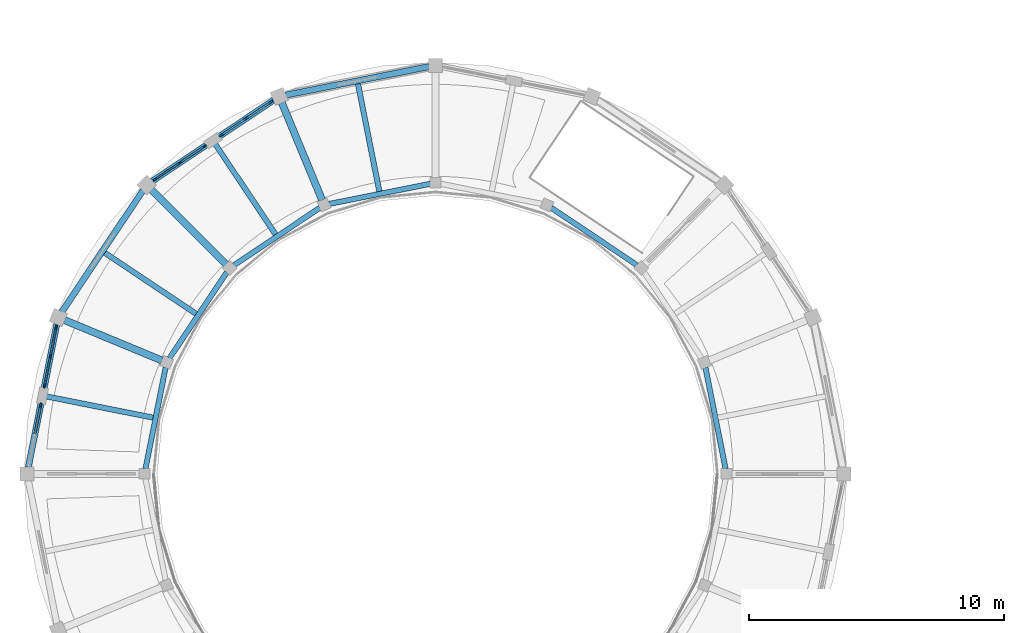
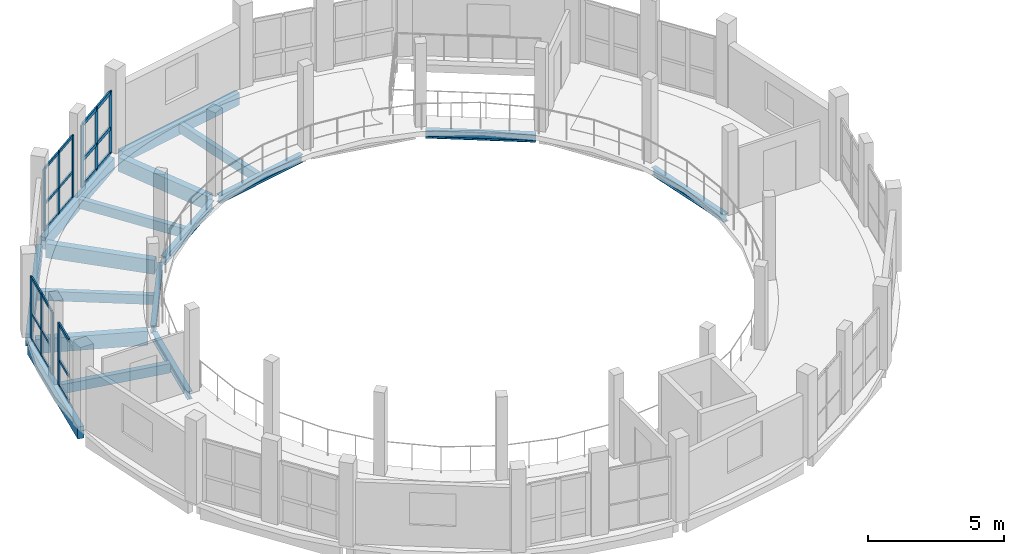
# One storey, part 35 of 77: 31 members, 17 beams, 4 elements without a shape of their own.
"""IFC4 building model written with IfcOpenShell, lengths in metres."""

from ifc_helpers import new_model, si_unit, direction, frame, origin, origin_2d, place, context, subcontext, project, spatial, rectangle, i_section, extrude, material, layer, layer_set, material_profile, profile_set, type_object, element, aggregate, save


model = new_model("IFC4")

# Units and contexts
model_context = context("Model", 3, precision=1e-05, world=origin(), true_north=direction((0.0, 1.0)))
body_context = subcontext(model_context, "Body", "Model", "MODEL_VIEW")
ifc_project = project(units=[si_unit("LENGTHUNIT", "METRE"), si_unit("AREAUNIT", "SQUARE_METRE"), si_unit("VOLUMEUNIT", "CUBIC_METRE"), si_unit("PLANEANGLEUNIT", "RADIAN"), si_unit("MASSUNIT", "GRAM", prefix="KILO")], contexts=[model_context])

# Site, building, storey
site_placement = place(None, origin())
site = spatial("IfcSite", under=ifc_project, at=site_placement, CompositionType="ELEMENT")
building_placement = place(site_placement, origin())
building = spatial("IfcBuilding", under=site, at=building_placement, Name="Caldaven Crescent School", CompositionType="ELEMENT")
storey_placement = place(building_placement, frame((0.0, 0.0, 4.419921875)))
storey = spatial("IfcBuildingStorey", under=building, at=storey_placement, Name="L01", CompositionType="ELEMENT", Elevation=4.419921875)

# Beams
ifc_material_1 = material(Name="Glulam MLE24h (GL28h)", Category="wood")
ifc_material_profile_1 = material_profile(ifc_material_1, rectangle(XDim=0.280029296875, YDim=0.6298828125, at=origin_2d()), Name="MLE 280x630")
ifc_profile_set_1 = profile_set([ifc_material_profile_1], Name="Glulam MLE24h (GL28h)")
beam_type_1 = type_object("IfcBeamType", Name="BM-GL63", PredefinedType="BEAM", material=ifc_profile_set_1)
beam_1_placement = place(storey_placement, frame((19.060791015625, 109.217041015625, -0.534912109375), z_axis=(-0.382679925467, 0.923880985108, 0.0), x_axis=(-0.923880985108, -0.382679925467, 0.0)))
element("IfcBeam", 1, at=beam_1_placement, inside=storey, type_object=beam_type_1, Name="BM-V2-L01-0306", PredefinedType="BEAM", context=body_context, shape_type="SweptSolid", body=[
    extrude(rectangle(XDim=0.280029296875, YDim=0.6298828125, at=origin_2d()), origin(), (0.0, 0.0, 1.0), 4.139892578125),
])
beam_2_placement = place(storey_placement, frame((15.297607421875, 106.702392578125, -0.534912109375), z_axis=(-0.707106781187, 0.707106781187, 0.0), x_axis=(-0.707106781187, -0.707106781187, 0.0)))
element("IfcBeam", 2, at=beam_2_placement, inside=storey, type_object=beam_type_1, Name="BM-V2-L01-0310", PredefinedType="BEAM", context=body_context, shape_type="SweptSolid", body=[
    extrude(rectangle(XDim=0.280029296875, YDim=0.6298828125, at=origin_2d()), origin(), (0.0, 0.0, 1.0), 4.14013671875),
])
beam_3_placement = place(storey_placement, frame((12.782958984375, 102.939208984375, -0.534912109375), z_axis=(-0.923880985108, 0.382679925467, 0.0), x_axis=(-0.382679925467, -0.923880985108, 0.0)))
element("IfcBeam", 3, at=beam_3_placement, inside=storey, type_object=beam_type_1, Name="BM-V2-L01-0314", PredefinedType="BEAM", context=body_context, shape_type="SweptSolid", body=[
    extrude(rectangle(XDim=0.280029296875, YDim=0.6298828125, at=origin_2d()), origin(), (0.0, 0.0, 1.0), 4.139892578125),
])
ifc_material_2 = material(Name="Steel ASTM A572 Grade 50", Category="steel")
ifc_material_profile_2 = material_profile(ifc_material_2, i_section(OverallWidth=0.205078125, OverallDepth=0.35400390625, WebThickness=0.009521484375, FlangeThickness=0.016845703125, FilletRadius=0.014892578125, at=origin_2d()), Name="W360x79")
ifc_profile_set_2 = profile_set([ifc_material_profile_2], Name="Steel ASTM A572 Grade 50")
beam_type_2 = type_object("IfcBeamType", Name="BM-W36", PredefinedType="BEAM", material=ifc_profile_set_2)
beam_4_placement = place(storey_placement, frame((34.861083984375, 98.696044921875, -0.39697265625), z_axis=(-0.195095436925, 0.980784262971, 0.0), x_axis=(-0.980784262971, -0.195095436925, 0.0)))
element("IfcBeam", 4, at=beam_4_placement, inside=storey, type_object=beam_type_2, Name="BM-V2-L01-0289", PredefinedType="BEAM", context=body_context, shape_type="SweptSolid", body=[
    extrude(i_section(OverallWidth=0.205078125, OverallDepth=0.35400390625, WebThickness=0.009521484375, FlangeThickness=0.016845703125, FilletRadius=0.014892578125, at=origin_2d()), origin(), (0.0, 0.0, 1.0), 4.04833984375),
])
beam_5_placement = place(storey_placement, frame((31.394775390625, 106.672119140625, -0.39697265625), z_axis=(-0.831474595704, 0.55556277476, 0.0), x_axis=(-0.55556277476, -0.831474595704, 0.0)))
element("IfcBeam", 5, at=beam_5_placement, inside=storey, type_object=beam_type_2, Name="BM-V2-L01-0297", PredefinedType="BEAM", context=body_context, shape_type="SweptSolid", body=[
    extrude(i_section(OverallWidth=0.205078125, OverallDepth=0.35400390625, WebThickness=0.009521484375, FlangeThickness=0.016845703125, FilletRadius=0.014892578125, at=origin_2d()), origin(), (0.0, 0.0, 1.0), 4.048095703125),
])
beam_6_placement = place(storey_placement, frame((23.303955078125, 109.861083984375, -0.39697265625), z_axis=(-0.980784262971, -0.195095436925, 0.0), x_axis=(0.195095436925, -0.980784262971, 0.0)))
element("IfcBeam", 6, at=beam_6_placement, inside=storey, type_object=beam_type_2, Name="BM-V2-L01-0303", PredefinedType="BEAM", context=body_context, shape_type="SweptSolid", body=[
    extrude(i_section(OverallWidth=0.205078125, OverallDepth=0.35400390625, WebThickness=0.009521484375, FlangeThickness=0.016845703125, FilletRadius=0.014892578125, at=origin_2d()), origin(), (0.0, 0.0, 1.0), 4.04833984375),
])
for number, where, z_axis, x_axis, name in (
    (7, (18.97119140625, 108.921142578125, -0.39697265625), (-0.831474595704, -0.55556277476, 0.0), (0.55556277476, -0.831474595704, 0.0), "BM-V2-L01-0307"),
    (8, (15.327880859375, 106.394775390625, -0.39697265625), (-0.55556277476, -0.831474595704, 0.0), (0.831474595704, -0.55556277476, 0.0), "BM-V2-L01-0311"),
):
    element("IfcBeam", number, at=place(storey_placement, frame(where, z_axis=z_axis, x_axis=x_axis)), inside=storey, type_object=beam_type_2, Name=name, PredefinedType="BEAM", context=body_context, shape_type="SweptSolid", body=[
        extrude(i_section(OverallWidth=0.205078125, OverallDepth=0.35400390625, WebThickness=0.009521484375, FlangeThickness=0.016845703125, FilletRadius=0.014892578125, at=origin_2d()), origin(), (0.0, 0.0, 1.0), 4.048095703125),
    ])
beam_7_placement = place(storey_placement, frame((12.9287109375, 102.66650390625, -0.39697265625), z_axis=(-0.195095436925, -0.980784262971, 0.0), x_axis=(0.980784262971, -0.195095436925, 0.0)))
element("IfcBeam", 9, at=beam_7_placement, inside=storey, type_object=beam_type_2, Name="BM-V2-L01-0315", PredefinedType="BEAM", context=body_context, shape_type="SweptSolid", body=[
    extrude(i_section(OverallWidth=0.205078125, OverallDepth=0.35400390625, WebThickness=0.009521484375, FlangeThickness=0.016845703125, FilletRadius=0.014892578125, at=origin_2d()), origin(), (0.0, 0.0, 1.0), 4.04833984375),
])

# Curtain wall, members
ifc_material_3 = material(Name="Anodised aluminium AA 6063-T6 and low-E double glazing", Category="aluminium")
ifc_layer_1 = layer(ifc_material_3, 0.2099609375)
ifc_layer_set_1 = layer_set([ifc_layer_1], Name="Anodised aluminium AA 6063-T6 and low-E double glazing")
curtain_wall_type_1 = type_object("IfcCurtainWallType", Name="CW-SYS3", PredefinedType="NOTDEFINED", material=ifc_layer_set_1)
curtain_wall_1_placement = place(storey_placement, origin())
curtain_wall_1 = element("IfcCurtainWall", 10, at=curtain_wall_1_placement, inside=storey, type_object=curtain_wall_type_1, Name="CW-L01-062", PredefinedType="NOTDEFINED")
ifc_material_4 = material(Name="Anodised aluminium AA 6063-T6", Category="aluminium")
ifc_material_profile_3 = material_profile(ifc_material_4, rectangle(XDim=0.06005859375, YDim=0.14990234375, at=origin_2d()), Name="CWM 60x150")
ifc_profile_set_3 = profile_set([ifc_material_profile_3], Name="Anodised aluminium AA 6063-T6")
member_type_1 = type_object("IfcMemberType", Name="CWM-T1", PredefinedType="MULLION", material=ifc_profile_set_3)
member_1_placement = place(storey_placement, frame((14.45751953125, 111.331298828125, 0.0), z_axis=(0.0, 0.0, 1.0), x_axis=(0.555572440609, -0.831468137234, 0.0)))
member_1 = element("IfcMember", 11, at=member_1_placement, type_object=member_type_1, Name="CW3 mullion 1", PredefinedType="MULLION", context=body_context, shape_type="SweptSolid", body=[
    extrude(rectangle(XDim=0.06005859375, YDim=0.14990234375, at=origin_2d()), origin(), (0.0, 0.0, 1.0), 2.780029296875),
])
member_2_placement = place(storey_placement, frame((13.48388671875, 110.680908203125, 0.0), z_axis=(0.0, 0.0, 1.0), x_axis=(0.555572440609, -0.831468137234, 0.0)))
member_2 = element("IfcMember", 12, at=member_2_placement, type_object=member_type_1, Name="CW3 mullion 2", PredefinedType="MULLION", context=body_context, shape_type="SweptSolid", body=[
    extrude(rectangle(XDim=0.06005859375, YDim=0.14990234375, at=origin_2d()), origin(), (0.0, 0.0, 1.0), 2.780029296875),
])
member_3_placement = place(storey_placement, frame((12.510498046875, 110.0302734375, 0.0), z_axis=(0.0, 0.0, 1.0), x_axis=(0.555572440609, -0.831468137234, 0.0)))
member_3 = element("IfcMember", 13, at=member_3_placement, type_object=member_type_1, Name="CW3 mullion 3", PredefinedType="MULLION", context=body_context, shape_type="SweptSolid", body=[
    extrude(rectangle(XDim=0.06005859375, YDim=0.14990234375, at=origin_2d()), origin(), (0.0, 0.0, 1.0), 2.780029296875),
])

ifc_layer_2 = layer(ifc_material_3, 0.22998046875)
ifc_layer_set_2 = layer_set([ifc_layer_2], Name="Anodised aluminium AA 6063-T6 and low-E double glazing")
curtain_wall_type_2 = type_object("IfcCurtainWallType", Name="CW-SYS4", PredefinedType="NOTDEFINED", material=ifc_layer_set_2)
curtain_wall_2_placement = place(storey_placement, origin())
curtain_wall_2 = element("IfcCurtainWall", 14, at=curtain_wall_2_placement, inside=storey, type_object=curtain_wall_type_2, Name="CW-L01-063", PredefinedType="NOTDEFINED")
ifc_material_profile_4 = material_profile(ifc_material_4, rectangle(XDim=0.06494140625, YDim=0.179931640625, at=origin_2d()), Name="CWM 65x180")
ifc_profile_set_4 = profile_set([ifc_material_profile_4], Name="Anodised aluminium AA 6063-T6")
member_type_2 = type_object("IfcMemberType", Name="CWM-T2", PredefinedType="MULLION", material=ifc_profile_set_4)
member_4_placement = place(storey_placement, frame((8.641357421875, 104.238037109375, 0.0), z_axis=(0.0, 0.0, 1.0), x_axis=(0.980785941636, -0.195086997747, 0.0)))
member_4 = element("IfcMember", 15, at=member_4_placement, type_object=member_type_2, Name="CW4 mullion 1", PredefinedType="MULLION", context=body_context, shape_type="SweptSolid", body=[
    extrude(rectangle(XDim=0.06494140625, YDim=0.179931640625, at=origin_2d()), origin(), (0.0, 0.0, 1.0), 2.780029296875),
])
member_5_placement = place(storey_placement, frame((8.413330078125, 103.09228515625, 0.0), z_axis=(0.0, 0.0, 1.0), x_axis=(0.980785941636, -0.195086997747, 0.0)))
member_5 = element("IfcMember", 16, at=member_5_placement, type_object=member_type_2, Name="CW4 mullion 2", PredefinedType="MULLION", context=body_context, shape_type="SweptSolid", body=[
    extrude(rectangle(XDim=0.06494140625, YDim=0.179931640625, at=origin_2d()), origin(), (0.0, 0.0, 1.0), 2.780029296875),
])
member_6_placement = place(storey_placement, frame((8.185546875, 101.946533203125, 0.0), z_axis=(0.0, 0.0, 1.0), x_axis=(0.980785941636, -0.195086997747, 0.0)))
member_6 = element("IfcMember", 17, at=member_6_placement, type_object=member_type_2, Name="CW4 mullion 3", PredefinedType="MULLION", context=body_context, shape_type="SweptSolid", body=[
    extrude(rectangle(XDim=0.06494140625, YDim=0.179931640625, at=origin_2d()), origin(), (0.0, 0.0, 1.0), 2.780029296875),
])

ifc_layer_3 = layer(ifc_material_3, 0.18994140625)
ifc_layer_set_3 = layer_set([ifc_layer_3], Name="Anodised aluminium AA 6063-T6 and low-E double glazing")
curtain_wall_type_3 = type_object("IfcCurtainWallType", Name="CW-SYS2", PredefinedType="NOTDEFINED", material=ifc_layer_set_3)
curtain_wall_3_placement = place(storey_placement, origin())
curtain_wall_3 = element("IfcCurtainWall", 18, at=curtain_wall_3_placement, inside=storey, type_object=curtain_wall_type_3, Name="CW-L01-061", PredefinedType="NOTDEFINED")
ifc_material_profile_5 = material_profile(ifc_material_4, rectangle(XDim=0.070068359375, YDim=0.2099609375, at=origin_2d()), Name="CWM 70x210")
ifc_profile_set_5 = profile_set([ifc_material_profile_5], Name="Anodised aluminium AA 6063-T6")
member_type_3 = type_object("IfcMemberType", Name="CWM-T3", PredefinedType="MULLION", material=ifc_profile_set_5)
member_7_placement = place(storey_placement, frame((17.048583984375, 113.062744140625, 0.0), z_axis=(0.0, 0.0, 1.0), x_axis=(0.555569561758, -0.831470060825, 0.0)))
member_7 = element("IfcMember", 19, at=member_7_placement, type_object=member_type_3, Name="CW2 mullion 1", PredefinedType="MULLION", context=body_context, shape_type="SweptSolid", body=[
    extrude(rectangle(XDim=0.070068359375, YDim=0.2099609375, at=origin_2d()), origin(), (0.0, 0.0, 1.0), 2.780029296875),
])
member_8_placement = place(storey_placement, frame((16.079345703125, 112.4150390625, 0.0), z_axis=(0.0, 0.0, 1.0), x_axis=(0.555569561758, -0.831470060825, 0.0)))
member_8 = element("IfcMember", 20, at=member_8_placement, type_object=member_type_3, Name="CW2 mullion 2", PredefinedType="MULLION", context=body_context, shape_type="SweptSolid", body=[
    extrude(rectangle(XDim=0.070068359375, YDim=0.2099609375, at=origin_2d()), origin(), (0.0, 0.0, 1.0), 2.780029296875),
])
member_9_placement = place(storey_placement, frame((15.110107421875, 111.767333984375, 0.0), z_axis=(0.0, 0.0, 1.0), x_axis=(0.555569561758, -0.831470060825, 0.0)))
member_9 = element("IfcMember", 21, at=member_9_placement, type_object=member_type_3, Name="CW2 mullion 3", PredefinedType="MULLION", context=body_context, shape_type="SweptSolid", body=[
    extrude(rectangle(XDim=0.070068359375, YDim=0.2099609375, at=origin_2d()), origin(), (0.0, 0.0, 1.0), 2.780029296875),
])

# Curtain wall, member
ifc_layer_4 = layer(ifc_material_3, 0.169921875)
ifc_layer_set_4 = layer_set([ifc_layer_4], Name="Anodised aluminium AA 6063-T6 and low-E double glazing")
curtain_wall_type_4 = type_object("IfcCurtainWallType", Name="CW-SYS1", PredefinedType="NOTDEFINED", material=ifc_layer_set_4)
curtain_wall_4_placement = place(storey_placement, origin())
curtain_wall_4 = element("IfcCurtainWall", 22, at=curtain_wall_4_placement, inside=storey, type_object=curtain_wall_type_4, Name="CW-L01-064", PredefinedType="NOTDEFINED")
member_10_placement = place(storey_placement, frame((8.031982421875, 101.174072265625, 0.0), z_axis=(0.0, 0.0, 1.0), x_axis=(0.980785144861, -0.19509100343, 0.0)))
member_10 = element("IfcMember", 23, at=member_10_placement, type_object=member_type_3, Name="CW1 mullion 1", PredefinedType="MULLION", context=body_context, shape_type="SweptSolid", body=[
    extrude(rectangle(XDim=0.070068359375, YDim=0.2099609375, at=origin_2d()), origin(), (0.0, 0.0, 1.0), 2.780029296875),
])

# Member
ifc_material_profile_6 = material_profile(ifc_material_4, rectangle(XDim=0.06005859375, YDim=0.1201171875, at=origin_2d()), Name="CWT 60x120")
ifc_profile_set_6 = profile_set([ifc_material_profile_6], Name="Anodised aluminium AA 6063-T6")
member_type_4 = type_object("IfcMemberType", Name="CWT-T1", PredefinedType="USERDEFINED", material=ifc_profile_set_6)
member_11_placement = place(storey_placement, frame((14.432373046875, 111.314453125, 0.030029296875), z_axis=(-0.831474853518, -0.555562388906, 0.0), x_axis=(0.555562388906, -0.831474853518, 0.0)))
member_11 = element("IfcMember", 24, at=member_11_placement, type_object=member_type_4, Name="CW3 transom 1.1", ObjectType="TRANSOM", PredefinedType="USERDEFINED", context=body_context, shape_type="SweptSolid", body=[
    extrude(rectangle(XDim=0.06005859375, YDim=0.1201171875, at=origin_2d()), origin(), (0.0, 0.0, 1.0), 1.110595703125),
])

member_12_placement = place(storey_placement, frame((14.432373046875, 111.314453125, 1.16796875), z_axis=(-0.831474853518, -0.555562388906, 0.0), x_axis=(0.555562388906, -0.831474853518, 0.0)))
member_12 = element("IfcMember", 25, at=member_12_placement, type_object=member_type_4, Name="CW3 transom 1.2", ObjectType="TRANSOM", PredefinedType="USERDEFINED", context=body_context, shape_type="SweptSolid", body=[
    extrude(rectangle(XDim=0.06005859375, YDim=0.1201171875, at=origin_2d()), origin(), (0.0, 0.0, 1.0), 1.110595703125),
])

member_13_placement = place(storey_placement, frame((14.432373046875, 111.314453125, 2.75), z_axis=(-0.831474853518, -0.555562388906, 0.0), x_axis=(0.555562388906, -0.831474853518, 0.0)))
member_13 = element("IfcMember", 26, at=member_13_placement, type_object=member_type_4, Name="CW3 transom 1.3", ObjectType="TRANSOM", PredefinedType="USERDEFINED", context=body_context, shape_type="SweptSolid", body=[
    extrude(rectangle(XDim=0.06005859375, YDim=0.1201171875, at=origin_2d()), origin(), (0.0, 0.0, 1.0), 1.110595703125),
])

member_14_placement = place(storey_placement, frame((13.458984375, 110.6640625, 0.030029296875), z_axis=(-0.831542691699, -0.555460846398, 0.0), x_axis=(0.555460846398, -0.831542691699, 0.0)))
member_14 = element("IfcMember", 27, at=member_14_placement, type_object=member_type_4, Name="CW3 transom 2.1", ObjectType="TRANSOM", PredefinedType="USERDEFINED", context=body_context, shape_type="SweptSolid", body=[
    extrude(rectangle(XDim=0.06005859375, YDim=0.1201171875, at=origin_2d()), origin(), (0.0, 0.0, 1.0), 1.110595703125),
])

member_15_placement = place(storey_placement, frame((13.458984375, 110.6640625, 1.16796875), z_axis=(-0.831542691699, -0.555460846398, 0.0), x_axis=(0.555460846398, -0.831542691699, 0.0)))
member_15 = element("IfcMember", 28, at=member_15_placement, type_object=member_type_4, Name="CW3 transom 2.2", ObjectType="TRANSOM", PredefinedType="USERDEFINED", context=body_context, shape_type="SweptSolid", body=[
    extrude(rectangle(XDim=0.06005859375, YDim=0.1201171875, at=origin_2d()), origin(), (0.0, 0.0, 1.0), 1.110595703125),
])

member_16_placement = place(storey_placement, frame((13.458984375, 110.6640625, 2.75), z_axis=(-0.831542691699, -0.555460846398, 0.0), x_axis=(0.555460846398, -0.831542691699, 0.0)))
member_16 = element("IfcMember", 29, at=member_16_placement, type_object=member_type_4, Name="CW3 transom 2.3", ObjectType="TRANSOM", PredefinedType="USERDEFINED", context=body_context, shape_type="SweptSolid", body=[
    extrude(rectangle(XDim=0.06005859375, YDim=0.1201171875, at=origin_2d()), origin(), (0.0, 0.0, 1.0), 1.110595703125),
])

aggregate(curtain_wall_1, [member_1, member_2, member_3, member_11, member_12, member_13, member_14, member_15, member_16])

member_17_placement = place(storey_placement, frame((8.635009765625, 104.2060546875, 0.030029296875), z_axis=(-0.195179809092, -0.980767476073, 0.0), x_axis=(0.980767476073, -0.195179809092, 0.0)))
member_17 = element("IfcMember", 30, at=member_17_placement, type_object=member_type_4, Name="CW4 transom 1.1", ObjectType="TRANSOM", PredefinedType="USERDEFINED", context=body_context, shape_type="SweptSolid", body=[
    extrude(rectangle(XDim=0.06005859375, YDim=0.1201171875, at=origin_2d()), origin(), (0.0, 0.0, 1.0), 1.103271484375),
])

member_18_placement = place(storey_placement, frame((8.635009765625, 104.2060546875, 1.16796875), z_axis=(-0.195179809092, -0.980767476073, 0.0), x_axis=(0.980767476073, -0.195179809092, 0.0)))
member_18 = element("IfcMember", 31, at=member_18_placement, type_object=member_type_4, Name="CW4 transom 1.2", ObjectType="TRANSOM", PredefinedType="USERDEFINED", context=body_context, shape_type="SweptSolid", body=[
    extrude(rectangle(XDim=0.06005859375, YDim=0.1201171875, at=origin_2d()), origin(), (0.0, 0.0, 1.0), 1.103271484375),
])

member_19_placement = place(storey_placement, frame((8.635009765625, 104.2060546875, 2.75), z_axis=(-0.195179809092, -0.980767476073, 0.0), x_axis=(0.980767476073, -0.195179809092, 0.0)))
member_19 = element("IfcMember", 32, at=member_19_placement, type_object=member_type_4, Name="CW4 transom 1.3", ObjectType="TRANSOM", PredefinedType="USERDEFINED", context=body_context, shape_type="SweptSolid", body=[
    extrude(rectangle(XDim=0.06005859375, YDim=0.1201171875, at=origin_2d()), origin(), (0.0, 0.0, 1.0), 1.103271484375),
])

member_20_placement = place(storey_placement, frame((8.4072265625, 103.060302734375, 0.030029296875), z_axis=(-0.195179809092, -0.980767476073, 0.0), x_axis=(0.980767476073, -0.195179809092, 0.0)))
member_20 = element("IfcMember", 33, at=member_20_placement, type_object=member_type_4, Name="CW4 transom 2.1", ObjectType="TRANSOM", PredefinedType="USERDEFINED", context=body_context, shape_type="SweptSolid", body=[
    extrude(rectangle(XDim=0.06005859375, YDim=0.1201171875, at=origin_2d()), origin(), (0.0, 0.0, 1.0), 1.103271484375),
])

member_21_placement = place(storey_placement, frame((8.4072265625, 103.060302734375, 1.16796875), z_axis=(-0.195179809092, -0.980767476073, 0.0), x_axis=(0.980767476073, -0.195179809092, 0.0)))
member_21 = element("IfcMember", 34, at=member_21_placement, type_object=member_type_4, Name="CW4 transom 2.2", ObjectType="TRANSOM", PredefinedType="USERDEFINED", context=body_context, shape_type="SweptSolid", body=[
    extrude(rectangle(XDim=0.06005859375, YDim=0.1201171875, at=origin_2d()), origin(), (0.0, 0.0, 1.0), 1.103271484375),
])

member_22_placement = place(storey_placement, frame((8.4072265625, 103.060302734375, 2.75), z_axis=(-0.195179809092, -0.980767476073, 0.0), x_axis=(0.980767476073, -0.195179809092, 0.0)))
member_22 = element("IfcMember", 35, at=member_22_placement, type_object=member_type_4, Name="CW4 transom 2.3", ObjectType="TRANSOM", PredefinedType="USERDEFINED", context=body_context, shape_type="SweptSolid", body=[
    extrude(rectangle(XDim=0.06005859375, YDim=0.1201171875, at=origin_2d()), origin(), (0.0, 0.0, 1.0), 1.103271484375),
])

aggregate(curtain_wall_2, [member_4, member_5, member_6, member_17, member_18, member_19, member_20, member_21, member_22])

ifc_material_profile_7 = material_profile(ifc_material_4, rectangle(XDim=0.06494140625, YDim=0.139892578125, at=origin_2d()), Name="CWT 65x140")
ifc_profile_set_7 = profile_set([ifc_material_profile_7], Name="Anodised aluminium AA 6063-T6")
member_type_5 = type_object("IfcMemberType", Name="CWT-T2", PredefinedType="USERDEFINED", material=ifc_profile_set_7)
member_23_placement = place(storey_placement, frame((8.025146484375, 101.1396484375, 0.032470703125), z_axis=(-0.195173426117, -0.98076874631, 0.0), x_axis=(0.98076874631, -0.195173426117, 0.0)))
member_23 = element("IfcMember", 36, at=member_23_placement, type_object=member_type_5, Name="CW1 transom 1.1", ObjectType="TRANSOM", PredefinedType="USERDEFINED", context=body_context, shape_type="SweptSolid", body=[
    extrude(rectangle(XDim=0.06494140625, YDim=0.139892578125, at=origin_2d()), origin(), (0.0, 0.0, 1.0), 1.095703125),
])

member_24_placement = place(storey_placement, frame((8.025146484375, 101.1396484375, 1.16796875), z_axis=(-0.195173426117, -0.98076874631, 0.0), x_axis=(0.98076874631, -0.195173426117, 0.0)))
member_24 = element("IfcMember", 37, at=member_24_placement, type_object=member_type_5, Name="CW1 transom 1.2", ObjectType="TRANSOM", PredefinedType="USERDEFINED", context=body_context, shape_type="SweptSolid", body=[
    extrude(rectangle(XDim=0.06494140625, YDim=0.139892578125, at=origin_2d()), origin(), (0.0, 0.0, 1.0), 1.095703125),
])

member_25_placement = place(storey_placement, frame((8.025146484375, 101.1396484375, 2.74755859375), z_axis=(-0.195173426117, -0.98076874631, 0.0), x_axis=(0.98076874631, -0.195173426117, 0.0)))
member_25 = element("IfcMember", 38, at=member_25_placement, type_object=member_type_5, Name="CW1 transom 1.3", ObjectType="TRANSOM", PredefinedType="USERDEFINED", context=body_context, shape_type="SweptSolid", body=[
    extrude(rectangle(XDim=0.06494140625, YDim=0.139892578125, at=origin_2d()), origin(), (0.0, 0.0, 1.0), 1.095703125),
])

aggregate(curtain_wall_4, [member_10, member_23, member_24, member_25])

ifc_material_profile_8 = material_profile(ifc_material_4, rectangle(XDim=0.070068359375, YDim=0.159912109375, at=origin_2d()), Name="CWT 70x160")
ifc_profile_set_8 = profile_set([ifc_material_profile_8], Name="Anodised aluminium AA 6063-T6")
member_type_6 = type_object("IfcMemberType", Name="CWT-T3", PredefinedType="USERDEFINED", material=ifc_profile_set_8)
member_26_placement = place(storey_placement, frame((17.01953125, 113.043212890625, 0.03515625), z_axis=(-0.831432837215, -0.555625266885, 0.0), x_axis=(0.555625266885, -0.831432837215, 0.0)))
member_26 = element("IfcMember", 39, at=member_26_placement, type_object=member_type_6, Name="CW2 transom 1.1", ObjectType="TRANSOM", PredefinedType="USERDEFINED", context=body_context, shape_type="SweptSolid", body=[
    extrude(rectangle(XDim=0.070068359375, YDim=0.159912109375, at=origin_2d()), origin(), (0.0, 0.0, 1.0), 1.095947265625),
])

member_27_placement = place(storey_placement, frame((17.01953125, 113.043212890625, 1.16796875), z_axis=(-0.831432837215, -0.555625266885, 0.0), x_axis=(0.555625266885, -0.831432837215, 0.0)))
member_27 = element("IfcMember", 40, at=member_27_placement, type_object=member_type_6, Name="CW2 transom 1.2", ObjectType="TRANSOM", PredefinedType="USERDEFINED", context=body_context, shape_type="SweptSolid", body=[
    extrude(rectangle(XDim=0.070068359375, YDim=0.159912109375, at=origin_2d()), origin(), (0.0, 0.0, 1.0), 1.095947265625),
])

member_28_placement = place(storey_placement, frame((17.01953125, 113.043212890625, 2.7451171875), z_axis=(-0.831432837215, -0.555625266885, 0.0), x_axis=(0.555625266885, -0.831432837215, 0.0)))
member_28 = element("IfcMember", 41, at=member_28_placement, type_object=member_type_6, Name="CW2 transom 1.3", ObjectType="TRANSOM", PredefinedType="USERDEFINED", context=body_context, shape_type="SweptSolid", body=[
    extrude(rectangle(XDim=0.070068359375, YDim=0.159912109375, at=origin_2d()), origin(), (0.0, 0.0, 1.0), 1.095947265625),
])

member_29_placement = place(storey_placement, frame((16.05029296875, 112.3955078125, 0.03515625), z_axis=(-0.831535754484, -0.555471231492, 0.0), x_axis=(0.555471231492, -0.831535754484, 0.0)))
member_29 = element("IfcMember", 42, at=member_29_placement, type_object=member_type_6, Name="CW2 transom 2.1", ObjectType="TRANSOM", PredefinedType="USERDEFINED", context=body_context, shape_type="SweptSolid", body=[
    extrude(rectangle(XDim=0.070068359375, YDim=0.159912109375, at=origin_2d()), origin(), (0.0, 0.0, 1.0), 1.095703125),
])

member_30_placement = place(storey_placement, frame((16.05029296875, 112.3955078125, 1.16796875), z_axis=(-0.831535754484, -0.555471231492, 0.0), x_axis=(0.555471231492, -0.831535754484, 0.0)))
member_30 = element("IfcMember", 43, at=member_30_placement, type_object=member_type_6, Name="CW2 transom 2.2", ObjectType="TRANSOM", PredefinedType="USERDEFINED", context=body_context, shape_type="SweptSolid", body=[
    extrude(rectangle(XDim=0.070068359375, YDim=0.159912109375, at=origin_2d()), origin(), (0.0, 0.0, 1.0), 1.095703125),
])

member_31_placement = place(storey_placement, frame((16.05029296875, 112.3955078125, 2.7451171875), z_axis=(-0.831535754484, -0.555471231492, 0.0), x_axis=(0.555471231492, -0.831535754484, 0.0)))
member_31 = element("IfcMember", 44, at=member_31_placement, type_object=member_type_6, Name="CW2 transom 2.3", ObjectType="TRANSOM", PredefinedType="USERDEFINED", context=body_context, shape_type="SweptSolid", body=[
    extrude(rectangle(XDim=0.070068359375, YDim=0.159912109375, at=origin_2d()), origin(), (0.0, 0.0, 1.0), 1.095703125),
])

aggregate(curtain_wall_3, [member_7, member_8, member_9, member_26, member_27, member_28, member_29, member_30, member_31])

# Beams
ifc_material_profile_9 = material_profile(ifc_material_1, rectangle(XDim=0.2099609375, YDim=0.419921875, at=origin_2d()), Name="MLE 210x420")
ifc_profile_set_9 = profile_set([ifc_material_profile_9], Name="Glulam MLE24h (GL28h)")
beam_type_3 = type_object("IfcBeamType", Name="JS-GL42", PredefinedType="JOIST", material=ifc_profile_set_9)
beam_8_placement = place(storey_placement, frame((21.29931640625, 109.564208984375, -0.429931640625), z_axis=(-0.195120521208, 0.980779272927, 0.0), x_axis=(-0.980779272927, -0.195120521208, 0.0)))
element("IfcBeam", 45, at=beam_8_placement, inside=storey, type_object=beam_type_3, Name="JS-V2-L01-0305", PredefinedType="JOIST", context=body_context, shape_type="SweptSolid", body=[
    extrude(rectangle(XDim=0.2099609375, YDim=0.419921875, at=origin_2d()), origin(), (0.0, 0.0, 1.0), 4.291748046875),
])
for number, where, z_axis, x_axis, name in (
    (46, (17.232666015625, 107.8798828125, -0.429931640625), (-0.555592620164, 0.831454653255, 0.0), (-0.831454653255, -0.555592620164, 0.0), "JS-V2-L01-0309"),
    (47, (14.1201171875, 104.767333984375, -0.429931640625), (-0.831454653255, 0.555592620164, 0.0), (-0.555592620164, -0.831454653255, 0.0), "JS-V2-L01-0313"),
):
    element("IfcBeam", number, at=place(storey_placement, frame(where, z_axis=z_axis, x_axis=x_axis)), inside=storey, type_object=beam_type_3, Name=name, PredefinedType="JOIST", context=body_context, shape_type="SweptSolid", body=[
        extrude(rectangle(XDim=0.2099609375, YDim=0.419921875, at=origin_2d()), origin(), (0.0, 0.0, 1.0), 4.29150390625),
    ])
beam_9_placement = place(storey_placement, frame((12.435791015625, 100.70068359375, -0.429931640625), z_axis=(-0.980779272927, 0.195120521208, 0.0), x_axis=(-0.195120521208, -0.980779272927, 0.0)))
element("IfcBeam", 48, at=beam_9_placement, inside=storey, type_object=beam_type_3, Name="JS-V2-L01-0317", PredefinedType="JOIST", context=body_context, shape_type="SweptSolid", body=[
    extrude(rectangle(XDim=0.2099609375, YDim=0.419921875, at=origin_2d()), origin(), (0.0, 0.0, 1.0), 4.291748046875),
])
ifc_material_profile_10 = material_profile(ifc_material_1, rectangle(XDim=0.239990234375, YDim=0.5400390625, at=origin_2d()), Name="MLE 240x540")
ifc_profile_set_10 = profile_set([ifc_material_profile_10], Name="Glulam MLE24h (GL28h)")
beam_type_4 = type_object("IfcBeamType", Name="SP-GL54", PredefinedType="SPANDREL", material=ifc_profile_set_10)
for number, where, z_axis, x_axis, name in (
    (49, (23.2451171875, 114.44921875, -0.489990234375), (-0.980786865854, -0.195082351248, 0.0), (0.195082351248, -0.980786865854, 0.0), "BM-V2-L01-0304"),
    (50, (17.160888671875, 113.1376953125, -0.489990234375), (-0.831465703483, -0.555576082938, 0.0), (0.555576082938, -0.831465703483, 0.0), "BM-V2-L01-0308"),
    (51, (12.041748046875, 109.597412109375, -0.489990234375), (-0.555576082938, -0.831465703483, 0.0), (0.831465703483, -0.555576082938, 0.0), "BM-V2-L01-0312"),
    (52, (8.667236328125, 104.367919921875, -0.489990234375), (-0.195082351248, -0.980786865854, 0.0), (0.980786865854, -0.195082351248, 0.0), "BM-V2-L01-0316"),
):
    element("IfcBeam", number, at=place(storey_placement, frame(where, z_axis=z_axis, x_axis=x_axis)), inside=storey, type_object=beam_type_4, Name=name, PredefinedType="SPANDREL", context=body_context, shape_type="SweptSolid", body=[
        extrude(rectangle(XDim=0.239990234375, YDim=0.5400390625, at=origin_2d()), origin(), (0.0, 0.0, 1.0), 5.722900390625),
    ])

save(model, "model.ifc")
